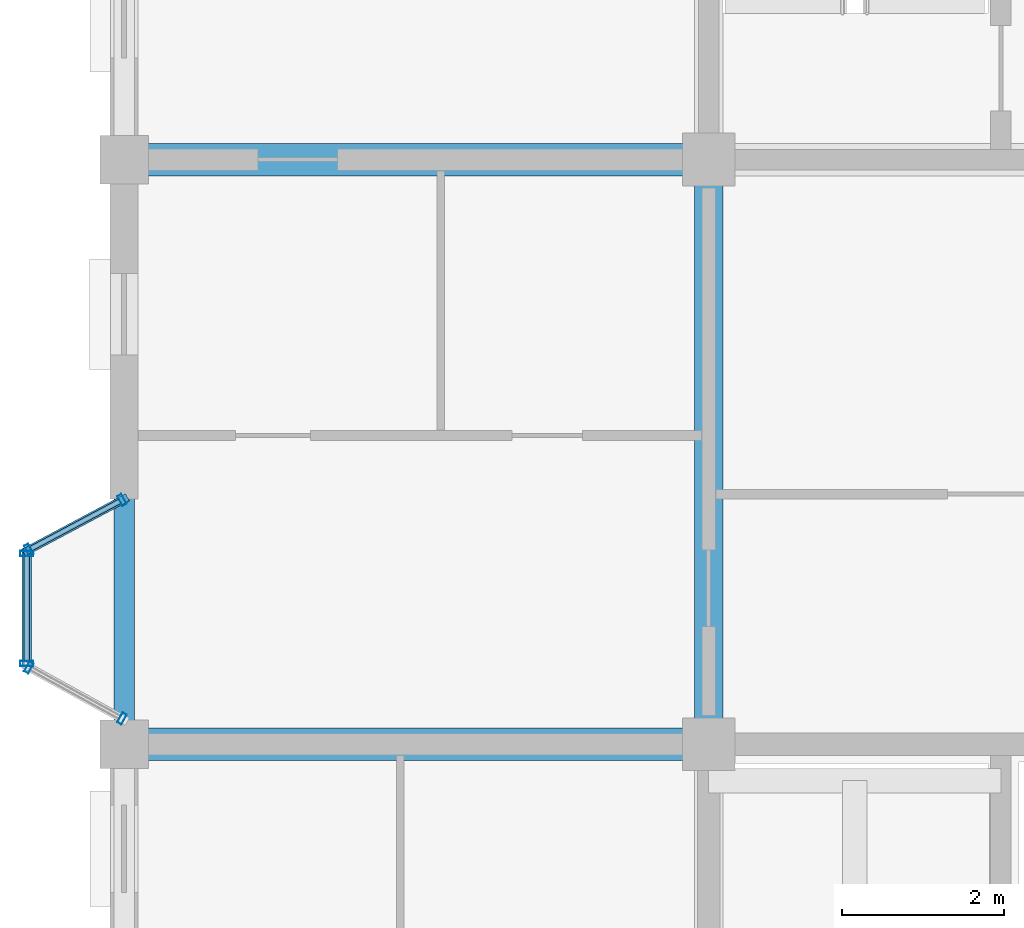
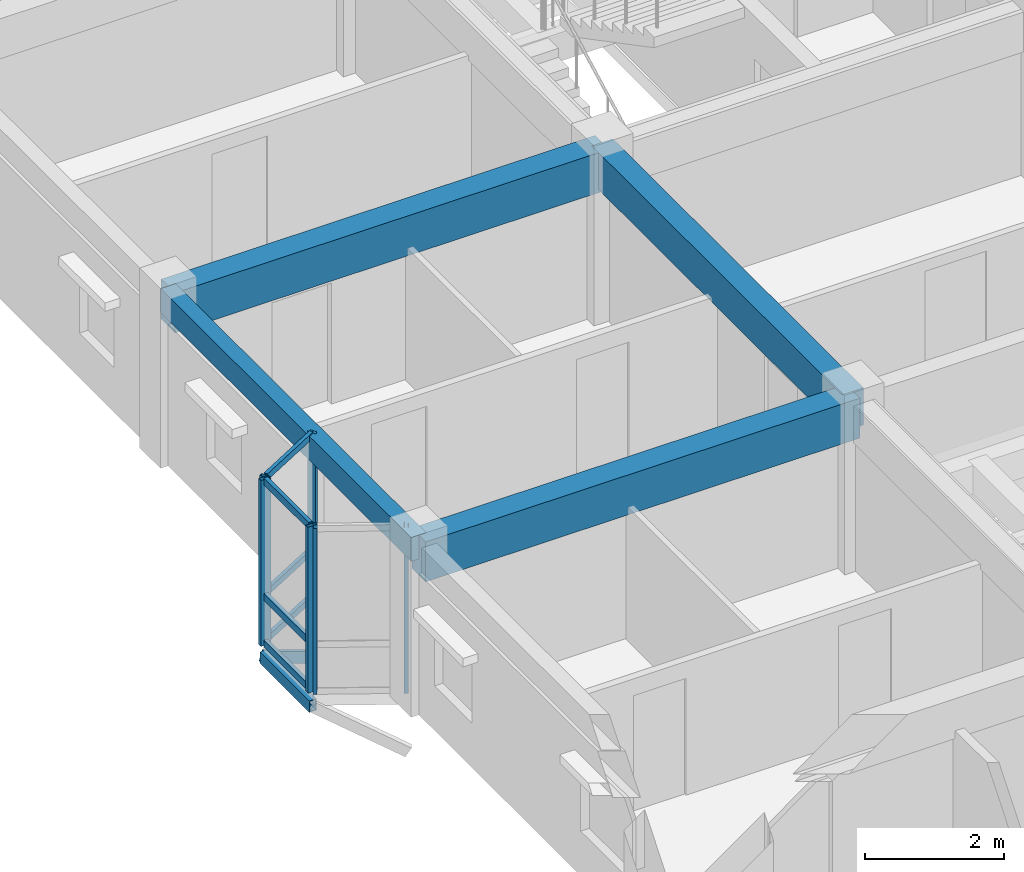
# One storey, part 29 of 124: 14 members, 4 beams, 3 elements without a shape of their own.
"""IFC4 building model written with IfcOpenShell, lengths in metres."""

from ifc_helpers import new_model, si_unit, direction, frame, origin, origin_2d, place, context, subcontext, project, spatial, rectangle, hollow_rectangle, extrude, material, layer, layer_set, material_profile, profile_set, type_object, element, aggregate, save


model = new_model("IFC4")

# Units and contexts
model_context = context("Model", 3, precision=1e-05, world=origin(), true_north=direction((0.0, 1.0)))
body_context = subcontext(model_context, "Body", "Model", "MODEL_VIEW")
ifc_project = project(units=[si_unit("LENGTHUNIT", "METRE"), si_unit("AREAUNIT", "SQUARE_METRE"), si_unit("VOLUMEUNIT", "CUBIC_METRE"), si_unit("PLANEANGLEUNIT", "RADIAN"), si_unit("MASSUNIT", "GRAM", prefix="KILO"), si_unit("THERMODYNAMICTEMPERATUREUNIT", "KELVIN"), si_unit("POWERUNIT", "WATT")], contexts=[model_context])

# Site, building, storey
site_placement = place(None, origin())
site = spatial("IfcSite", under=ifc_project, at=site_placement, CompositionType="ELEMENT")
building_placement = place(site_placement, origin())
building = spatial("IfcBuilding", under=site, at=building_placement, Name="Tavuni Mirador Residences", CompositionType="ELEMENT")
storey_placement = place(building_placement, frame((0.0, 0.0, 7.64990234375)))
storey = spatial("IfcBuildingStorey", under=building, at=storey_placement, Name="L02", CompositionType="ELEMENT", Elevation=7.64990234375)

# Beams
ifc_material_1 = material(Name="Precast concrete C40/50", Category="concrete")
ifc_material_profile_1 = material_profile(ifc_material_1, rectangle(XDim=0.35009765625, YDim=0.64990234375, at=origin_2d()), Name="PC 350x650", Category="concrete")
ifc_profile_set_1 = profile_set([ifc_material_profile_1], Name="Precast concrete C40/50")
beam_type_1 = type_object("IfcBeamType", Name="BT-B650", PredefinedType="BEAM", material=ifc_profile_set_1)
beam_1_placement = place(storey_placement, frame((10.800048828125, 79.199951171875, 2.585205078125), z_axis=(0.0, 1.0, 0.0), x_axis=(-1.0, 0.0, 0.0)))
element("IfcBeam", 1, at=beam_1_placement, inside=storey, type_object=beam_type_1, Name="BMY-BLK-B-L02-01-02", PredefinedType="BEAM", context=body_context, shape_type="SweptSolid", body=[
    extrude(rectangle(XDim=0.35009765625, YDim=0.64990234375, at=origin_2d()), origin(), (0.0, 0.0, 1.0), 7.199951171875),
])
ifc_material_profile_2 = material_profile(ifc_material_1, rectangle(XDim=0.39990234375, YDim=0.699951171875, at=origin_2d()), Name="PC 400x700", Category="concrete")
ifc_profile_set_2 = profile_set([ifc_material_profile_2], Name="Precast concrete C40/50")
beam_type_2 = type_object("IfcBeamType", Name="BT-B700", PredefinedType="BEAM", material=ifc_profile_set_2)
for number, where, z_axis, x_axis, name in (
    (2, (3.60009765625, 79.199951171875, 2.56005859375), (1.0, 0.0, 0.0), (0.0, 1.0, 0.0), "BMX-BLK-B-L02-00-02"),
    (3, (3.60009765625, 86.39990234375, 2.56005859375), (1.0, 0.0, 0.0), (0.0, 1.0, 0.0), "BMX-BLK-B-L02-00-03"),
):
    element("IfcBeam", number, at=place(storey_placement, frame(where, z_axis=z_axis, x_axis=x_axis)), inside=storey, type_object=beam_type_2, Name=name, PredefinedType="BEAM", context=body_context, shape_type="SweptSolid", body=[
        extrude(rectangle(XDim=0.39990234375, YDim=0.699951171875, at=origin_2d()), origin(), (0.0, 0.0, 1.0), 7.199951171875),
    ])
ifc_material_profile_3 = material_profile(ifc_material_1, rectangle(XDim=0.25, YDim=0.419921875, at=origin_2d()), Name="PC 250x420", Category="concrete")
ifc_profile_set_3 = profile_set([ifc_material_profile_3], Name="Precast concrete C40/50")
beam_type_3 = type_object("IfcBeamType", Name="BT-SP420", PredefinedType="SPANDREL", material=ifc_profile_set_3)
beam_2_placement = place(storey_placement, frame((3.60009765625, 79.199951171875, 2.7001953125), z_axis=(0.0, 1.0, 0.0), x_axis=(-1.0, 0.0, 0.0)))
element("IfcBeam", 4, at=beam_2_placement, inside=storey, type_object=beam_type_3, Name="BMY-BLK-B-L02-00-02", PredefinedType="SPANDREL", context=body_context, shape_type="SweptSolid", body=[
    extrude(rectangle(XDim=0.25, YDim=0.419921875, at=origin_2d()), origin(), (0.0, 0.0, 1.0), 7.199951171875),
])

# Curtain wall, members
ifc_material_2 = material(Name="Anodised aluminium", Category="aluminium")
ifc_layer_1 = layer(ifc_material_2, 0.175048828125, Name="Anodised aluminium", Category="aluminium")
ifc_layer_set_1 = layer_set([ifc_layer_1], Name="Anodised aluminium")
curtain_wall_type_1 = type_object("IfcCurtainWallType", Name="CWT-MIR-C", PredefinedType="NOTDEFINED", material=ifc_layer_set_1)
curtain_wall_1_placement = place(storey_placement, origin())
curtain_wall_1 = element("IfcCurtainWall", 5, at=curtain_wall_1_placement, inside=storey, type_object=curtain_wall_type_1, Name="CW-MIR-B-W2-L02-M1", PredefinedType="NOTDEFINED")
ifc_material_profile_4 = material_profile(ifc_material_2, hollow_rectangle(XDim=0.06005859375, YDim=0.139892578125, WallThickness=0.00390625, at=origin_2d()), Name="ALU 60x140x4.0", Category="aluminium")
ifc_profile_set_4 = profile_set([ifc_material_profile_4], Name="Anodised aluminium")
member_type_1 = type_object("IfcMemberType", Name="CWM-140", PredefinedType="MULLION", material=ifc_profile_set_4)
member_1_placement = place(storey_placement, frame((3.573486328125, 82.205810546875, 0.0), z_axis=(0.0, 0.0, 1.0), x_axis=(-0.882352941175, -0.470588235296, 0.0)))
member_1 = element("IfcMember", 6, at=member_1_placement, type_object=member_type_1, Name="CW-03 mullion 1", PredefinedType="MULLION", context=body_context, shape_type="SweptSolid", body=[
    extrude(hollow_rectangle(XDim=0.06005859375, YDim=0.139892578125, WallThickness=0.00390625, at=origin_2d()), origin(), (0.0, 0.0, 1.0), 2.91015625),
])
member_2_placement = place(storey_placement, frame((2.426513671875, 81.59423828125, 0.0), z_axis=(0.0, 0.0, 1.0), x_axis=(-0.882352941175, -0.470588235296, 0.0)))
member_2 = element("IfcMember", 7, at=member_2_placement, type_object=member_type_1, Name="CW-03 mullion 2", PredefinedType="MULLION", context=body_context, shape_type="SweptSolid", body=[
    extrude(hollow_rectangle(XDim=0.06005859375, YDim=0.139892578125, WallThickness=0.00390625, at=origin_2d()), origin(), (0.0, 0.0, 1.0), 2.91015625),
])

ifc_layer_2 = layer(ifc_material_2, 0.1650390625, Name="Anodised aluminium", Category="aluminium")
ifc_layer_set_2 = layer_set([ifc_layer_2], Name="Anodised aluminium")
curtain_wall_type_2 = type_object("IfcCurtainWallType", Name="CWT-MIR-A", PredefinedType="NOTDEFINED", material=ifc_layer_set_2)
curtain_wall_2_placement = place(storey_placement, origin())
curtain_wall_2 = element("IfcCurtainWall", 8, at=curtain_wall_2_placement, inside=storey, type_object=curtain_wall_type_2, Name="CW-MIR-B-W2-L02-M2", PredefinedType="NOTDEFINED")
member_3_placement = place(storey_placement, frame((2.42626953125, 80.1455078125, 0.0), z_axis=(0.0, 0.0, 1.0), x_axis=(0.876215908676, -0.481918749773, 0.0)))
member_3 = element("IfcMember", 9, at=member_3_placement, type_object=member_type_1, Name="CW-01 mullion 1", PredefinedType="MULLION", context=body_context, shape_type="SweptSolid", body=[
    extrude(hollow_rectangle(XDim=0.06005859375, YDim=0.139892578125, WallThickness=0.00390625, at=origin_2d()), origin(), (0.0, 0.0, 1.0), 2.91015625),
])
member_4_placement = place(storey_placement, frame((3.57373046875, 79.514404296875, 0.0), z_axis=(0.0, 0.0, 1.0), x_axis=(0.876215908676, -0.481918749773, 0.0)))
member_4 = element("IfcMember", 10, at=member_4_placement, type_object=member_type_1, Name="CW-01 mullion 2", PredefinedType="MULLION", context=body_context, shape_type="SweptSolid", body=[
    extrude(hollow_rectangle(XDim=0.06005859375, YDim=0.139892578125, WallThickness=0.00390625, at=origin_2d()), origin(), (0.0, 0.0, 1.0), 2.91015625),
])
aggregate(curtain_wall_2, [member_3, member_4])

ifc_layer_3 = layer(ifc_material_2, 0.159912109375, Name="Anodised aluminium", Category="aluminium")
ifc_layer_set_3 = layer_set([ifc_layer_3], Name="Anodised aluminium")
curtain_wall_type_3 = type_object("IfcCurtainWallType", Name="CWT-MIR-D", PredefinedType="NOTDEFINED", material=ifc_layer_set_3)
curtain_wall_3_placement = place(storey_placement, origin())
curtain_wall_3 = element("IfcCurtainWall", 11, at=curtain_wall_3_placement, inside=storey, type_object=curtain_wall_type_3, Name="CW-MIR-B-W2-L02-MF", PredefinedType="NOTDEFINED")
ifc_material_profile_5 = material_profile(ifc_material_2, hollow_rectangle(XDim=0.06494140625, YDim=0.1650390625, WallThickness=0.00439453125, at=origin_2d()), Name="ALU 65x165x4.5", Category="aluminium")
ifc_profile_set_5 = profile_set([ifc_material_profile_5], Name="Anodised aluminium")
member_type_2 = type_object("IfcMemberType", Name="CWM-165", PredefinedType="MULLION", material=ifc_profile_set_5)
member_5_placement = place(storey_placement, frame((2.39990234375, 81.547607421875, 0.0), z_axis=(0.0, 0.0, 1.0), x_axis=(0.0, -1.0, 0.0)))
member_5 = element("IfcMember", 12, at=member_5_placement, type_object=member_type_2, Name="CW-04 mullion 1", PredefinedType="MULLION", context=body_context, shape_type="SweptSolid", body=[
    extrude(hollow_rectangle(XDim=0.06494140625, YDim=0.1650390625, WallThickness=0.00439453125, at=origin_2d()), origin(), (0.0, 0.0, 1.0), 2.91015625),
])
member_6_placement = place(storey_placement, frame((2.39990234375, 80.1923828125, 0.0), z_axis=(0.0, 0.0, 1.0), x_axis=(0.0, -1.0, 0.0)))
member_6 = element("IfcMember", 13, at=member_6_placement, type_object=member_type_2, Name="CW-04 mullion 2", PredefinedType="MULLION", context=body_context, shape_type="SweptSolid", body=[
    extrude(hollow_rectangle(XDim=0.06494140625, YDim=0.1650390625, WallThickness=0.00439453125, at=origin_2d()), origin(), (0.0, 0.0, 1.0), 2.91015625),
])

# Member
ifc_material_profile_6 = material_profile(ifc_material_2, hollow_rectangle(XDim=0.06005859375, YDim=0.110107421875, WallThickness=0.00390625, at=origin_2d()), Name="ALU 60x110x4.0", Category="aluminium")
ifc_profile_set_6 = profile_set([ifc_material_profile_6], Name="Anodised aluminium")
member_type_3 = type_object("IfcMemberType", Name="CWT-110", PredefinedType="USERDEFINED", material=ifc_profile_set_6)
member_7_placement = place(storey_placement, frame((3.547119140625, 82.191650390625, 0.030029296875), z_axis=(-0.882385637708, -0.470526924168, 0.0), x_axis=(0.470526924168, -0.882385637708, 0.0)))
member_7 = element("IfcMember", 14, at=member_7_placement, type_object=member_type_3, Name="CW-03 transom 1.1", ObjectType="TRANSOM", PredefinedType="USERDEFINED", context=body_context, shape_type="SweptSolid", body=[
    extrude(hollow_rectangle(XDim=0.06005859375, YDim=0.110107421875, WallThickness=0.00390625, at=origin_2d()), origin(), (0.0, 0.0, 1.0), 1.239990234375),
])

member_8_placement = place(storey_placement, frame((3.547119140625, 82.191650390625, 0.85009765625), z_axis=(-0.882385637708, -0.470526924168, 0.0), x_axis=(0.470526924168, -0.882385637708, 0.0)))
member_8 = element("IfcMember", 15, at=member_8_placement, type_object=member_type_3, Name="CW-03 transom 1.2", ObjectType="TRANSOM", PredefinedType="USERDEFINED", context=body_context, shape_type="SweptSolid", body=[
    extrude(hollow_rectangle(XDim=0.06005859375, YDim=0.110107421875, WallThickness=0.00390625, at=origin_2d()), origin(), (0.0, 0.0, 1.0), 1.239990234375),
])

member_9_placement = place(storey_placement, frame((3.547119140625, 82.191650390625, 2.880126953125), z_axis=(-0.882385637708, -0.470526924168, 0.0), x_axis=(0.470526924168, -0.882385637708, 0.0)))
member_9 = element("IfcMember", 16, at=member_9_placement, type_object=member_type_3, Name="CW-03 transom 1.3", ObjectType="TRANSOM", PredefinedType="USERDEFINED", context=body_context, shape_type="SweptSolid", body=[
    extrude(hollow_rectangle(XDim=0.06005859375, YDim=0.110107421875, WallThickness=0.00390625, at=origin_2d()), origin(), (0.0, 0.0, 1.0), 1.239990234375),
])

aggregate(curtain_wall_1, [member_1, member_2, member_7, member_8, member_9])

ifc_material_profile_7 = material_profile(ifc_material_2, hollow_rectangle(XDim=0.06494140625, YDim=0.125, WallThickness=0.00439453125, at=origin_2d()), Name="ALU 65x125x4.5", Category="aluminium")
ifc_profile_set_7 = profile_set([ifc_material_profile_7], Name="Anodised aluminium")
member_type_4 = type_object("IfcMemberType", Name="CWT-125", PredefinedType="USERDEFINED", material=ifc_profile_set_7)
member_10_placement = place(storey_placement, frame((2.39990234375, 81.514892578125, 0.03271484375), z_axis=(0.0, -1.0, 0.0), x_axis=(1.0, 0.0, 0.0)))
member_10 = element("IfcMember", 17, at=member_10_placement, type_object=member_type_4, Name="CW-04 transom 1.1", ObjectType="TRANSOM", PredefinedType="USERDEFINED", context=body_context, shape_type="SweptSolid", body=[
    extrude(hollow_rectangle(XDim=0.06494140625, YDim=0.125, WallThickness=0.00439453125, at=origin_2d()), origin(), (0.0, 0.0, 1.0), 1.289794921875),
])

member_11_placement = place(storey_placement, frame((2.39990234375, 81.514892578125, 0.85009765625), z_axis=(0.0, -1.0, 0.0), x_axis=(1.0, 0.0, 0.0)))
member_11 = element("IfcMember", 18, at=member_11_placement, type_object=member_type_4, Name="CW-04 transom 1.2", ObjectType="TRANSOM", PredefinedType="USERDEFINED", context=body_context, shape_type="SweptSolid", body=[
    extrude(hollow_rectangle(XDim=0.06494140625, YDim=0.125, WallThickness=0.00439453125, at=origin_2d()), origin(), (0.0, 0.0, 1.0), 1.289794921875),
])

member_12_placement = place(storey_placement, frame((2.39990234375, 81.514892578125, 2.877685546875), z_axis=(0.0, -1.0, 0.0), x_axis=(1.0, 0.0, 0.0)))
member_12 = element("IfcMember", 19, at=member_12_placement, type_object=member_type_4, Name="CW-04 transom 1.3", ObjectType="TRANSOM", PredefinedType="USERDEFINED", context=body_context, shape_type="SweptSolid", body=[
    extrude(hollow_rectangle(XDim=0.06494140625, YDim=0.125, WallThickness=0.00439453125, at=origin_2d()), origin(), (0.0, 0.0, 1.0), 1.289794921875),
])

aggregate(curtain_wall_3, [member_5, member_6, member_10, member_11, member_12])

# Members
ifc_material_3 = material(Name="Structural steel S355", Category="steel")
ifc_material_profile_8 = material_profile(ifc_material_3, hollow_rectangle(XDim=0.10009765625, YDim=0.179931640625, WallThickness=0.008056640625, at=origin_2d()), Name="RHS 180x100x8.0", Category="steel")
ifc_profile_set_8 = profile_set([ifc_material_profile_8], Name="Structural steel S355")
member_type_5 = type_object("IfcMemberType", Name="MT-BR-RHS180", PredefinedType="BRACE", material=ifc_profile_set_8)
member_13_placement = place(storey_placement, frame((3.60009765625, 82.219970703125, -1.0498046875), z_axis=(-0.758201649806, -0.404240546001, 0.511585612776), x_axis=(0.470467115558, -0.882417527692, 0.0)))
element("IfcMember", 20, at=member_13_placement, inside=storey, type_object=member_type_5, Name="MBRK-MIR-B-W2-L02-2", PredefinedType="BRACE", context=body_context, shape_type="SweptSolid", body=[
    extrude(hollow_rectangle(XDim=0.10009765625, YDim=0.179931640625, WallThickness=0.008056640625, at=origin_2d()), origin(), (0.0, 0.0, 1.0), 1.5830078125),
])
ifc_material_profile_9 = material_profile(ifc_material_3, hollow_rectangle(XDim=0.1201171875, YDim=0.199951171875, WallThickness=0.010009765625, at=origin_2d()), Name="RHS 200x120x10.0", Category="steel")
ifc_profile_set_9 = profile_set([ifc_material_profile_9], Name="Structural steel S355")
member_type_6 = type_object("IfcMemberType", Name="MT-ST-RHS200", PredefinedType="STRUT", material=ifc_profile_set_9)
member_14_placement = place(storey_placement, frame((2.39990234375, 80.159912109375, -0.239990234375), z_axis=(0.0, 1.0, 0.0), x_axis=(-1.0, 0.0, 0.0)))
element("IfcMember", 21, at=member_14_placement, inside=storey, type_object=member_type_6, Name="MRIM-MIR-B-W2-L02", PredefinedType="STRUT", context=body_context, shape_type="SweptSolid", body=[
    extrude(hollow_rectangle(XDim=0.1201171875, YDim=0.199951171875, WallThickness=0.010009765625, at=origin_2d()), origin(), (0.0, 0.0, 1.0), 1.420166015625),
])

save(model, "model.ifc")
